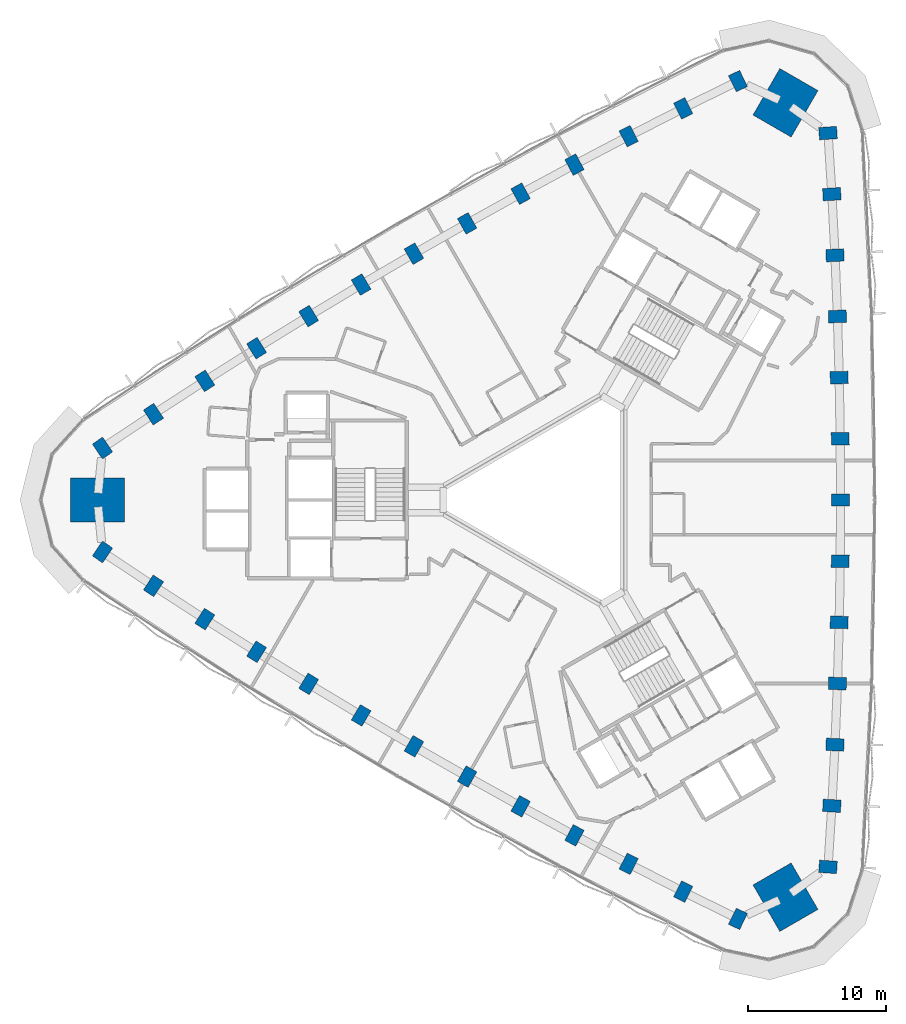
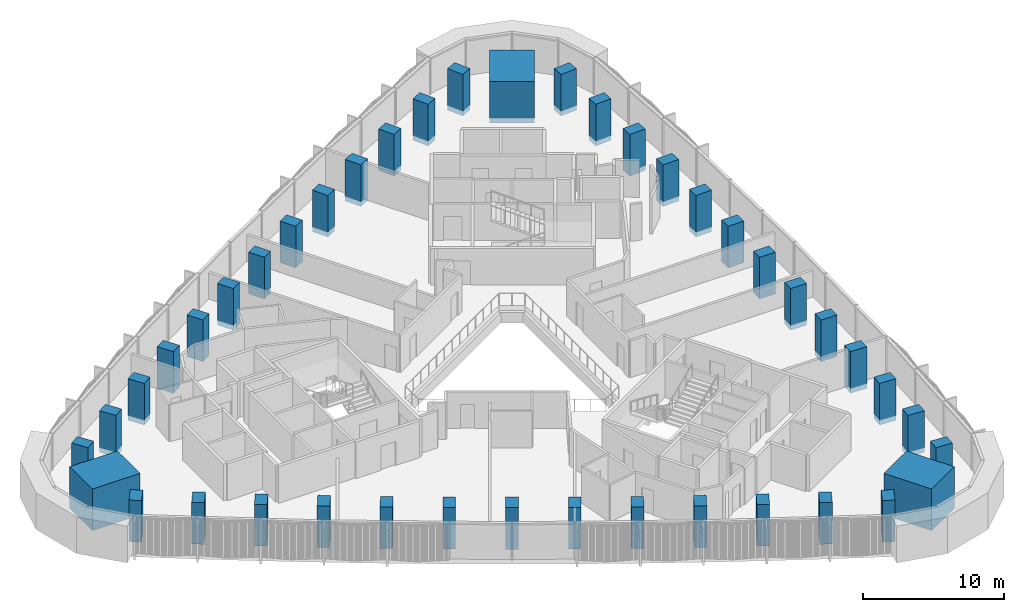
# One storey, part 1 of 15: 42 columns.
"""IFC4 building model written with IfcOpenShell, lengths in metres."""

from ifc_helpers import new_model, si_unit, direction, frame, origin, origin_2d, place, context, subcontext, project, spatial, rectangle, extrude, material, material_profile, profile_set, type_object, element, save


model = new_model("IFC4")

# Units and contexts
model_context = context("Model", 3, precision=1e-05, world=origin(), true_north=direction((0.0, 1.0)))
body_context = subcontext(model_context, "Body", "Model", "MODEL_VIEW")
ifc_project = project(units=[si_unit("LENGTHUNIT", "METRE"), si_unit("AREAUNIT", "SQUARE_METRE"), si_unit("VOLUMEUNIT", "CUBIC_METRE"), si_unit("PLANEANGLEUNIT", "RADIAN"), si_unit("MASSUNIT", "GRAM", prefix="KILO")], contexts=[model_context])

# Site, building, storey
site_placement = place(None, origin())
site = spatial("IfcSite", under=ifc_project, at=site_placement, CompositionType="ELEMENT")
building_placement = place(site_placement, origin())
building = spatial("IfcBuilding", under=site, at=building_placement, Name="Tamra Quay Hotel Tower", CompositionType="ELEMENT")
storey_placement = place(building_placement, frame((0.0, 0.0, 97.39990234375)))
storey = spatial("IfcBuildingStorey", under=building, at=storey_placement, Name="L23", CompositionType="ELEMENT", Elevation=97.39990234375)

# Columns
ifc_material = material(Name="Concrete M70", Category="concrete")
ifc_material_profile_1 = material_profile(ifc_material, rectangle(XDim=1.300048828125, YDim=0.89990234375, at=origin_2d()), Name="COLUMN RC 900x1300 Z2")
ifc_profile_set_1 = profile_set([ifc_material_profile_1], Name="Concrete M70")
column_type_1 = type_object("IfcColumnType", Name="COLUMN RC 900x1300 Z2", PredefinedType="COLUMN", material=ifc_profile_set_1)
for number, where, z_axis, x_axis, name in (
    (1, (19.746337890625, -26.648681640625, -0.4248046875), (0.0, 0.0, 1.0), (-0.997682497858, 0.068041409955, 0.0), "COL-C2E01-L23"),
    (2, (20.02490234375, -22.212158203125, -0.4248046875), (0.0, 0.0, 1.0), (-0.998368034899, 0.057107502941, 0.0), "COL-C2E02-L23"),
    (3, (20.2529296875, -17.773193359375, -0.4248046875), (0.0, 0.0, 1.0), (-0.99895467426, 0.04571169187, 0.0), "COL-C2E03-L23"),
    (4, (20.430419921875, -13.331787109375, -0.4248046875), (0.0, 0.0, 1.0), (-0.999411600314, 0.034299462929, 0.0), "COL-C2E04-L23"),
    (5, (20.557373046875, -8.888916015625, -0.4248046875), (0.0, 0.0, 1.0), (-0.999738355025, 0.022874035338, 0.0), "COL-C2E05-L23"),
    (6, (20.633544921875, -4.44482421875, -0.4248046875), (0.0, 0.0, 1.0), (-0.999934576635, 0.01143863846, 0.0), "COL-C2E06-L23"),
    (7, (20.658935546875, 0.0, -0.4248046875), (0.0, 0.0, 1.0), (1.0, 0.0, 0.0), "COL-C2E07-L23"),
    (8, (20.633544921875, 4.44482421875, -0.4248046875), (0.0, 0.0, 1.0), (0.999934576635, 0.01143863846, 0.0), "COL-C2E08-L23"),
    (9, (20.557373046875, 8.888916015625, -0.4248046875), (0.0, 0.0, 1.0), (0.999738355025, 0.022874035338, 0.0), "COL-C2E09-L23"),
    (10, (20.430419921875, 13.331787109375, -0.4248046875), (0.0, 0.0, 1.0), (0.999411600314, 0.034299462929, 0.0), "COL-C2E10-L23"),
    (11, (20.2529296875, 17.773193359375, -0.4248046875), (0.0, 0.0, 1.0), (0.99895467426, 0.04571169187, 0.0), "COL-C2E11-L23"),
    (12, (20.02490234375, 22.212158203125, -0.4248046875), (0.0, 0.0, 1.0), (0.998368034899, 0.057107502941, 0.0), "COL-C2E12-L23"),
    (13, (19.746337890625, 26.648681640625, -0.4248046875), (0.0, 0.0, 1.0), (0.997682497858, 0.068041409955, 0.0), "COL-C2E13-L23"),
    (14, (13.205078125, 30.425048828125, -0.4248046875), (0.0, 0.0, 1.0), (-0.439915659398, 0.898039093033, 0.0), "COL-C2NW01-L23"),
    (15, (9.223876953125, 28.4482421875, -0.4248046875), (0.0, 0.0, 1.0), (-0.449727469156, 0.893165832019, 0.0), "COL-C2NW02-L23"),
    (16, (5.265625, 26.42626953125, -0.4248046875), (0.0, 0.0, 1.0), (-0.459889850721, 0.887975971074, 0.0), "COL-C2NW03-L23"),
    (17, (1.33056640625, 24.359375, -0.4248046875), (0.0, 0.0, 1.0), (-0.470001593924, 0.882665566174, 0.0), "COL-C2NW04-L23"),
    (18, (-2.580810546875, 22.247802734375, -0.4248046875), (0.0, 0.0, 1.0), (-0.480059681822, 0.877235830258, 0.0), "COL-C2NW05-L23"),
    (19, (-6.467529296875, 20.091552734375, -0.4248046875), (0.0, 0.0, 1.0), (-0.490061136827, 0.871688064718, 0.0), "COL-C2NW06-L23"),
    (20, (-10.32958984375, 17.89111328125, -0.4248046875), (0.0, 0.0, 1.0), (-0.5, 0.866025403784, 0.0), "COL-C2NW07-L23"),
    (21, (-14.166015625, 15.646728515625, -0.4248046875), (0.0, 0.0, 1.0), (-0.509873439808, 0.860249426259, 0.0), "COL-C2NW08-L23"),
    (22, (-17.976806640625, 13.35888671875, -0.4248046875), (0.0, 0.0, 1.0), (-0.519678673202, 0.85436179492, 0.0), "COL-C2NW09-L23"),
    (23, (-21.760986328125, 11.02734375, -0.4248046875), (0.0, 0.0, 1.0), (-0.52941000639, 0.848366103245, 0.0), "COL-C2NW10-L23"),
    (24, (-25.5185546875, 8.653076171875, -0.4248046875), (0.0, 0.0, 1.0), (-0.539064823539, 0.842264279204, 0.0), "COL-C2NW11-L23"),
    (25, (-29.248779296875, 6.23583984375, -0.4248046875), (0.0, 0.0, 1.0), (-0.548640565743, 0.836058329078, 0.0), "COL-C2NW12-L23"),
    (26, (-32.951416015625, 3.776611328125, -0.4248046875), (0.0, 0.0, 1.0), (-0.557766838459, 0.829997683078, 0.0), "COL-C2NW13-L23"),
    (27, (-32.951416015625, -3.776611328125, -0.4248046875), (0.0, 0.0, 1.0), (0.557766838459, 0.829997683078, 0.0), "COL-C2SW01-L23"),
    (28, (-29.248779296875, -6.23583984375, -0.4248046875), (0.0, 0.0, 1.0), (0.548640565743, 0.836058329078, 0.0), "COL-C2SW02-L23"),
    (29, (-25.5185546875, -8.653076171875, -0.4248046875), (0.0, 0.0, 1.0), (0.539064823539, 0.842264279204, 0.0), "COL-C2SW03-L23"),
    (30, (-21.760986328125, -11.02734375, -0.4248046875), (0.0, 0.0, 1.0), (0.52941000639, 0.848366103245, 0.0), "COL-C2SW04-L23"),
    (31, (-17.976806640625, -13.35888671875, -0.4248046875), (0.0, 0.0, 1.0), (0.519678673202, 0.85436179492, 0.0), "COL-C2SW05-L23"),
    (32, (-14.166015625, -15.646728515625, -0.4248046875), (0.0, 0.0, 1.0), (0.509873439808, 0.860249426259, 0.0), "COL-C2SW06-L23"),
    (33, (-10.32958984375, -17.89111328125, -0.4248046875), (0.0, 0.0, 1.0), (0.5, 0.866025403784, 0.0), "COL-C2SW07-L23"),
    (34, (-6.467529296875, -20.091552734375, -0.4248046875), (0.0, 0.0, 1.0), (0.490061136827, 0.871688064718, 0.0), "COL-C2SW08-L23"),
    (35, (-2.580810546875, -22.247802734375, -0.4248046875), (0.0, 0.0, 1.0), (0.480059681822, 0.877235830258, 0.0), "COL-C2SW09-L23"),
    (36, (1.33056640625, -24.359375, -0.4248046875), (0.0, 0.0, 1.0), (0.470001593924, 0.882665566174, 0.0), "COL-C2SW10-L23"),
    (37, (5.265625, -26.42626953125, -0.4248046875), (0.0, 0.0, 1.0), (0.459889850721, 0.887975971074, 0.0), "COL-C2SW11-L23"),
    (38, (9.223876953125, -28.4482421875, -0.4248046875), (0.0, 0.0, 1.0), (0.449727469156, 0.893165832019, 0.0), "COL-C2SW12-L23"),
    (39, (13.205078125, -30.425048828125, -0.4248046875), (0.0, 0.0, 1.0), (0.439915659398, 0.898039093033, 0.0), "COL-C2SW13-L23"),
):
    element("IfcColumn", number, at=place(storey_placement, frame(where, z_axis=z_axis, x_axis=x_axis)), inside=storey, type_object=column_type_1, Name=name, PredefinedType="COLUMN", context=body_context, shape_type="SweptSolid", body=[
        extrude(rectangle(XDim=1.300048828125, YDim=0.89990234375, at=origin_2d()), origin(), (0.0, 0.0, 1.0), 3.599853515625),
    ])
ifc_material_profile_2 = material_profile(ifc_material, rectangle(XDim=3.89990234375, YDim=3.199951171875, at=origin_2d()), Name="MEGA COLUMN RC 3200x3900 Z2")
ifc_profile_set_2 = profile_set([ifc_material_profile_2], Name="Concrete M70")
column_type_2 = type_object("IfcColumnType", Name="MEGA COLUMN RC 3200x3900 Z2", PredefinedType="COLUMN", material=ifc_profile_set_2)
for number, where, z_axis, x_axis, name in (
    (40, (16.65673828125, 28.8505859375, -0.4248046875), (0.0, 0.0, 1.0), (0.5, 0.866025403784, 0.0), "COL-M2NE-L23"),
    (41, (-33.313720703125, 0.0, -0.4248046875), (0.0, 0.0, 1.0), (1.0, 0.0, 0.0), "COL-M2W-L23"),
    (42, (16.65673828125, -28.8505859375, -0.4248046875), (0.0, 0.0, 1.0), (-0.5, 0.866025403784, 0.0), "COL-M2SE-L23"),
):
    element("IfcColumn", number, at=place(storey_placement, frame(where, z_axis=z_axis, x_axis=x_axis)), inside=storey, type_object=column_type_2, Name=name, PredefinedType="COLUMN", context=body_context, shape_type="SweptSolid", body=[
        extrude(rectangle(XDim=3.89990234375, YDim=3.199951171875, at=origin_2d()), origin(), (0.0, 0.0, 1.0), 3.599853515625),
    ])

save(model, "model.ifc")
